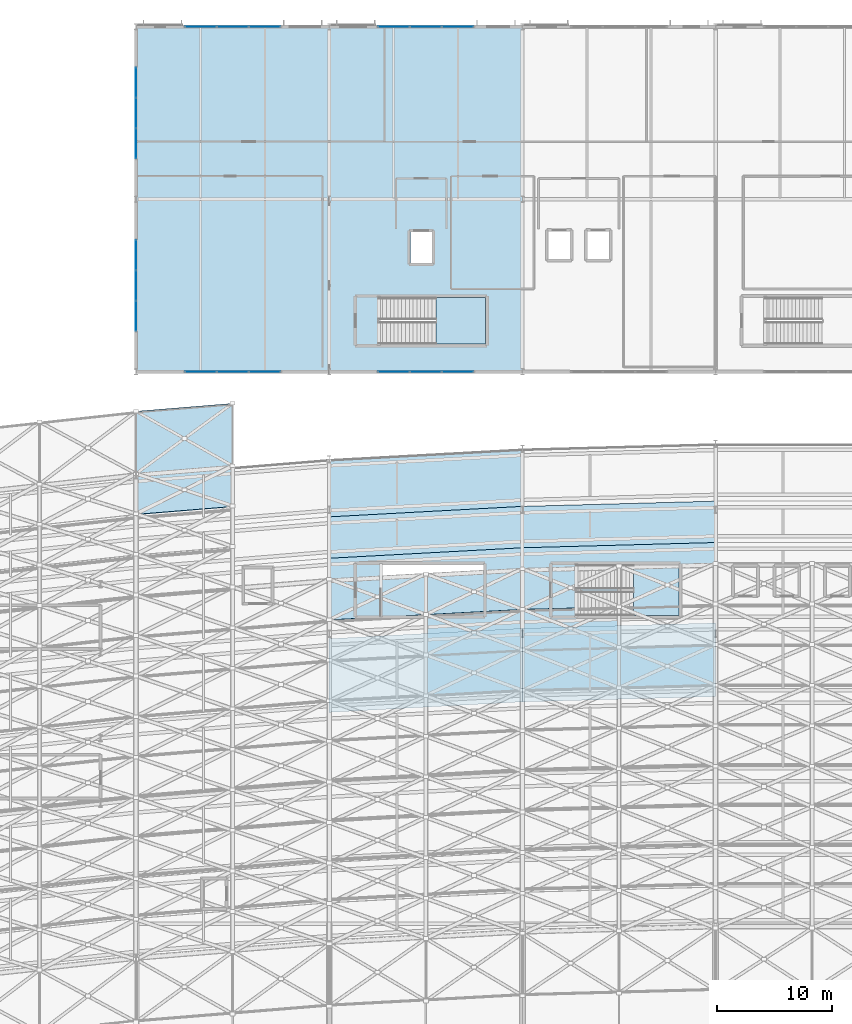
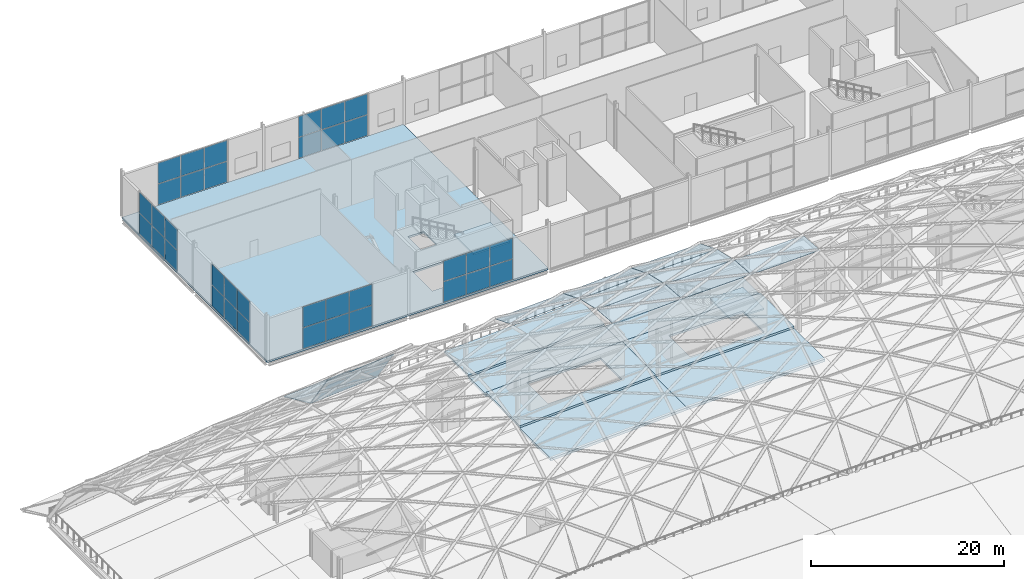
# One storey, part 67 of 100: 46 plates, 10 slabs, 8 elements without a shape of their own.
"""IFC4 building model written with IfcOpenShell, lengths in metres."""

from ifc_helpers import new_model, si_unit, direction, frame, origin, origin_2d, place, context, subcontext, project, spatial, polyline, rectangle, outline, extrude, material, layer, layer_set, type_object, element, aggregate, save


model = new_model("IFC4")

# Units and contexts
model_context = context("Model", 3, precision=1e-05, world=origin(), true_north=direction((0.0, 1.0)))
body_context = subcontext(model_context, "Body", "Model", "MODEL_VIEW")
ifc_project = project(units=[si_unit("LENGTHUNIT", "METRE"), si_unit("AREAUNIT", "SQUARE_METRE"), si_unit("VOLUMEUNIT", "CUBIC_METRE"), si_unit("PLANEANGLEUNIT", "RADIAN"), si_unit("MASSUNIT", "GRAM", prefix="KILO")], contexts=[model_context])

# Site, building, storey
site_placement = place(None, origin())
site = spatial("IfcSite", under=ifc_project, at=site_placement, CompositionType="ELEMENT")
building_placement = place(site_placement, origin())
building = spatial("IfcBuilding", under=site, at=building_placement, Name="Kimbaza Rail Terminus", CompositionType="ELEMENT")
storey_placement = place(building_placement, frame((0.0, 0.0, 10.800048828125)))
storey = spatial("IfcBuildingStorey", under=building, at=storey_placement, Name="L02", CompositionType="ELEMENT", Elevation=10.800048828125)

# Curtain wall, plates
ifc_material_1 = material(Name="Anodised aluminium framing and solar low-E glazing", Category="aluminium")
curtain_wall_type = type_object("IfcCurtainWallType", Name="ARC-CW-OP1", PredefinedType="USERDEFINED", material=ifc_material_1)
curtain_wall_1_placement = place(storey_placement, origin())
curtain_wall_1 = element("IfcCurtainWall", 1, at=curtain_wall_1_placement, inside=storey, type_object=curtain_wall_type, Name="Operations North Curtain Wall L02 Bay 1", ObjectType="UNITISED CURTAIN WALL", PredefinedType="USERDEFINED")
ifc_material_2 = material(Name="Solar-control double low-E glazing", Category="glass")
ifc_layer_1 = layer(ifc_material_2, 0.02490234375)
ifc_layer_set_1 = layer_set([ifc_layer_1], Name="Solar-control double low-E glazing")
plate_type_1 = type_object("IfcPlateType", Name="ARC-CWP-05", PredefinedType="CURTAIN_PANEL", material=ifc_layer_set_1)
plate_1_placement = place(storey_placement, frame((60.8154296875, 133.0, 0.06201171875), z_axis=(0.0, 0.0, 1.0), x_axis=(1.0, 0.0, 0.0)))
plate_1 = element("IfcPlate", 2, at=plate_1_placement, type_object=plate_type_1, Name="CW-05 panel 1.1", PredefinedType="CURTAIN_PANEL", context=body_context, shape_type="SweptSolid", body=[
    extrude(rectangle(XDim=2.70703125, YDim=0.02490234375, at=origin_2d()), origin(), (0.0, 0.0, 1.0), 2.609619140625),
])
plate_2_placement = place(storey_placement, frame((60.8154296875, 133.0, 2.7333984375), z_axis=(0.0, 0.0, 1.0), x_axis=(1.0, 0.0, 0.0)))
plate_2 = element("IfcPlate", 3, at=plate_2_placement, type_object=plate_type_1, Name="CW-05 panel 1.2", PredefinedType="CURTAIN_PANEL", context=body_context, shape_type="SweptSolid", body=[
    extrude(rectangle(XDim=2.70703125, YDim=0.02490234375, at=origin_2d()), origin(), (0.0, 0.0, 1.0), 2.609619140625),
])
plate_3_placement = place(storey_placement, frame((63.60009765625, 133.0, 0.06201171875), z_axis=(0.0, 0.0, 1.0), x_axis=(1.0, 0.0, 0.0)))
plate_3 = element("IfcPlate", 4, at=plate_3_placement, type_object=plate_type_1, Name="CW-05 panel 2.1", PredefinedType="CURTAIN_PANEL", context=body_context, shape_type="SweptSolid", body=[
    extrude(rectangle(XDim=2.738037109375, YDim=0.02490234375, at=origin_2d()), origin(), (0.0, 0.0, 1.0), 2.609619140625),
])
plate_4_placement = place(storey_placement, frame((63.60009765625, 133.0, 2.7333984375), z_axis=(0.0, 0.0, 1.0), x_axis=(1.0, 0.0, 0.0)))
plate_4 = element("IfcPlate", 5, at=plate_4_placement, type_object=plate_type_1, Name="CW-05 panel 2.2", PredefinedType="CURTAIN_PANEL", context=body_context, shape_type="SweptSolid", body=[
    extrude(rectangle(XDim=2.738037109375, YDim=0.02490234375, at=origin_2d()), origin(), (0.0, 0.0, 1.0), 2.609619140625),
])
plate_5_placement = place(storey_placement, frame((66.384521484375, 133.0, 0.06201171875), z_axis=(0.0, 0.0, 1.0), x_axis=(1.0, 0.0, 0.0)))
plate_5 = element("IfcPlate", 6, at=plate_5_placement, type_object=plate_type_1, Name="CW-05 panel 3.1", PredefinedType="CURTAIN_PANEL", context=body_context, shape_type="SweptSolid", body=[
    extrude(rectangle(XDim=2.70703125, YDim=0.02490234375, at=origin_2d()), origin(), (0.0, 0.0, 1.0), 2.609619140625),
])
plate_6_placement = place(storey_placement, frame((66.384521484375, 133.0, 2.7333984375), z_axis=(0.0, 0.0, 1.0), x_axis=(1.0, 0.0, 0.0)))
plate_6 = element("IfcPlate", 7, at=plate_6_placement, type_object=plate_type_1, Name="CW-05 panel 3.2", PredefinedType="CURTAIN_PANEL", context=body_context, shape_type="SweptSolid", body=[
    extrude(rectangle(XDim=2.70703125, YDim=0.02490234375, at=origin_2d()), origin(), (0.0, 0.0, 1.0), 2.609619140625),
])
aggregate(curtain_wall_1, [plate_1, plate_2, plate_3, plate_4, plate_5, plate_6])

curtain_wall_2_placement = place(storey_placement, origin())
curtain_wall_2 = element("IfcCurtainWall", 8, at=curtain_wall_2_placement, inside=storey, type_object=curtain_wall_type, Name="Operations North Curtain Wall L02 Bay 2", ObjectType="UNITISED CURTAIN WALL", PredefinedType="USERDEFINED")
plate_7_placement = place(storey_placement, frame((77.615478515625, 133.0, 0.06201171875), z_axis=(0.0, 0.0, 1.0), x_axis=(1.0, 0.0, 0.0)))
plate_7 = element("IfcPlate", 9, at=plate_7_placement, type_object=plate_type_1, Name="CW-05 panel 1.1", PredefinedType="CURTAIN_PANEL", context=body_context, shape_type="SweptSolid", body=[
    extrude(rectangle(XDim=2.70703125, YDim=0.02490234375, at=origin_2d()), origin(), (0.0, 0.0, 1.0), 2.609619140625),
])
plate_8_placement = place(storey_placement, frame((77.615478515625, 133.0, 2.7333984375), z_axis=(0.0, 0.0, 1.0), x_axis=(1.0, 0.0, 0.0)))
plate_8 = element("IfcPlate", 10, at=plate_8_placement, type_object=plate_type_1, Name="CW-05 panel 1.2", PredefinedType="CURTAIN_PANEL", context=body_context, shape_type="SweptSolid", body=[
    extrude(rectangle(XDim=2.70703125, YDim=0.02490234375, at=origin_2d()), origin(), (0.0, 0.0, 1.0), 2.609619140625),
])
plate_9_placement = place(storey_placement, frame((80.39990234375, 133.0, 0.06201171875), z_axis=(0.0, 0.0, 1.0), x_axis=(1.0, 0.0, 0.0)))
plate_9 = element("IfcPlate", 11, at=plate_9_placement, type_object=plate_type_1, Name="CW-05 panel 2.1", PredefinedType="CURTAIN_PANEL", context=body_context, shape_type="SweptSolid", body=[
    extrude(rectangle(XDim=2.738037109375, YDim=0.02490234375, at=origin_2d()), origin(), (0.0, 0.0, 1.0), 2.609619140625),
])
plate_10_placement = place(storey_placement, frame((80.39990234375, 133.0, 2.7333984375), z_axis=(0.0, 0.0, 1.0), x_axis=(1.0, 0.0, 0.0)))
plate_10 = element("IfcPlate", 12, at=plate_10_placement, type_object=plate_type_1, Name="CW-05 panel 2.2", PredefinedType="CURTAIN_PANEL", context=body_context, shape_type="SweptSolid", body=[
    extrude(rectangle(XDim=2.738037109375, YDim=0.02490234375, at=origin_2d()), origin(), (0.0, 0.0, 1.0), 2.609619140625),
])
plate_11_placement = place(storey_placement, frame((83.1845703125, 133.0, 0.06201171875), z_axis=(0.0, 0.0, 1.0), x_axis=(1.0, 0.0, 0.0)))
plate_11 = element("IfcPlate", 13, at=plate_11_placement, type_object=plate_type_1, Name="CW-05 panel 3.1", PredefinedType="CURTAIN_PANEL", context=body_context, shape_type="SweptSolid", body=[
    extrude(rectangle(XDim=2.70703125, YDim=0.02490234375, at=origin_2d()), origin(), (0.0, 0.0, 1.0), 2.609619140625),
])
plate_12_placement = place(storey_placement, frame((83.1845703125, 133.0, 2.7333984375), z_axis=(0.0, 0.0, 1.0), x_axis=(1.0, 0.0, 0.0)))
plate_12 = element("IfcPlate", 14, at=plate_12_placement, type_object=plate_type_1, Name="CW-05 panel 3.2", PredefinedType="CURTAIN_PANEL", context=body_context, shape_type="SweptSolid", body=[
    extrude(rectangle(XDim=2.70703125, YDim=0.02490234375, at=origin_2d()), origin(), (0.0, 0.0, 1.0), 2.609619140625),
])
aggregate(curtain_wall_2, [plate_7, plate_8, plate_9, plate_10, plate_11, plate_12])

curtain_wall_3_placement = place(storey_placement, origin())
curtain_wall_3 = element("IfcCurtainWall", 15, at=curtain_wall_3_placement, inside=storey, type_object=curtain_wall_type, Name="Operations South Curtain Wall L02 Bay 1", ObjectType="UNITISED CURTAIN WALL", PredefinedType="USERDEFINED")
plate_13_placement = place(storey_placement, frame((60.8154296875, 103.0, 0.06201171875), z_axis=(0.0, 0.0, 1.0), x_axis=(1.0, 0.0, 0.0)))
plate_13 = element("IfcPlate", 16, at=plate_13_placement, type_object=plate_type_1, Name="CW-05 panel 1.1", PredefinedType="CURTAIN_PANEL", context=body_context, shape_type="SweptSolid", body=[
    extrude(rectangle(XDim=2.70703125, YDim=0.02490234375, at=origin_2d()), origin(), (0.0, 0.0, 1.0), 2.609619140625),
])
plate_14_placement = place(storey_placement, frame((60.8154296875, 103.0, 2.7333984375), z_axis=(0.0, 0.0, 1.0), x_axis=(1.0, 0.0, 0.0)))
plate_14 = element("IfcPlate", 17, at=plate_14_placement, type_object=plate_type_1, Name="CW-05 panel 1.2", PredefinedType="CURTAIN_PANEL", context=body_context, shape_type="SweptSolid", body=[
    extrude(rectangle(XDim=2.70703125, YDim=0.02490234375, at=origin_2d()), origin(), (0.0, 0.0, 1.0), 2.609619140625),
])
plate_15_placement = place(storey_placement, frame((63.60009765625, 103.0, 0.06201171875), z_axis=(0.0, 0.0, 1.0), x_axis=(1.0, 0.0, 0.0)))
plate_15 = element("IfcPlate", 18, at=plate_15_placement, type_object=plate_type_1, Name="CW-05 panel 2.1", PredefinedType="CURTAIN_PANEL", context=body_context, shape_type="SweptSolid", body=[
    extrude(rectangle(XDim=2.738037109375, YDim=0.02490234375, at=origin_2d()), origin(), (0.0, 0.0, 1.0), 2.609619140625),
])
plate_16_placement = place(storey_placement, frame((63.60009765625, 103.0, 2.7333984375), z_axis=(0.0, 0.0, 1.0), x_axis=(1.0, 0.0, 0.0)))
plate_16 = element("IfcPlate", 19, at=plate_16_placement, type_object=plate_type_1, Name="CW-05 panel 2.2", PredefinedType="CURTAIN_PANEL", context=body_context, shape_type="SweptSolid", body=[
    extrude(rectangle(XDim=2.738037109375, YDim=0.02490234375, at=origin_2d()), origin(), (0.0, 0.0, 1.0), 2.609619140625),
])
plate_17_placement = place(storey_placement, frame((66.384521484375, 103.0, 0.06201171875), z_axis=(0.0, 0.0, 1.0), x_axis=(1.0, 0.0, 0.0)))
plate_17 = element("IfcPlate", 20, at=plate_17_placement, type_object=plate_type_1, Name="CW-05 panel 3.1", PredefinedType="CURTAIN_PANEL", context=body_context, shape_type="SweptSolid", body=[
    extrude(rectangle(XDim=2.70703125, YDim=0.02490234375, at=origin_2d()), origin(), (0.0, 0.0, 1.0), 2.609619140625),
])
plate_18_placement = place(storey_placement, frame((66.384521484375, 103.0, 2.7333984375), z_axis=(0.0, 0.0, 1.0), x_axis=(1.0, 0.0, 0.0)))
plate_18 = element("IfcPlate", 21, at=plate_18_placement, type_object=plate_type_1, Name="CW-05 panel 3.2", PredefinedType="CURTAIN_PANEL", context=body_context, shape_type="SweptSolid", body=[
    extrude(rectangle(XDim=2.70703125, YDim=0.02490234375, at=origin_2d()), origin(), (0.0, 0.0, 1.0), 2.609619140625),
])
aggregate(curtain_wall_3, [plate_13, plate_14, plate_15, plate_16, plate_17, plate_18])

curtain_wall_4_placement = place(storey_placement, origin())
curtain_wall_4 = element("IfcCurtainWall", 22, at=curtain_wall_4_placement, inside=storey, type_object=curtain_wall_type, Name="Operations South Curtain Wall L02 Bay 2", ObjectType="UNITISED CURTAIN WALL", PredefinedType="USERDEFINED")
plate_19_placement = place(storey_placement, frame((77.615478515625, 103.0, 0.06201171875), z_axis=(0.0, 0.0, 1.0), x_axis=(1.0, 0.0, 0.0)))
plate_19 = element("IfcPlate", 23, at=plate_19_placement, type_object=plate_type_1, Name="CW-05 panel 1.1", PredefinedType="CURTAIN_PANEL", context=body_context, shape_type="SweptSolid", body=[
    extrude(rectangle(XDim=2.70703125, YDim=0.02490234375, at=origin_2d()), origin(), (0.0, 0.0, 1.0), 2.569580078125),
])
plate_20_placement = place(storey_placement, frame((77.615478515625, 103.0, 2.693359375), z_axis=(0.0, 0.0, 1.0), x_axis=(1.0, 0.0, 0.0)))
plate_20 = element("IfcPlate", 24, at=plate_20_placement, type_object=plate_type_1, Name="CW-05 panel 1.2", PredefinedType="CURTAIN_PANEL", context=body_context, shape_type="SweptSolid", body=[
    extrude(rectangle(XDim=2.70703125, YDim=0.02490234375, at=origin_2d()), origin(), (0.0, 0.0, 1.0), 2.569580078125),
])
plate_21_placement = place(storey_placement, frame((80.39990234375, 103.0, 0.06201171875), z_axis=(0.0, 0.0, 1.0), x_axis=(1.0, 0.0, 0.0)))
plate_21 = element("IfcPlate", 25, at=plate_21_placement, type_object=plate_type_1, Name="CW-05 panel 2.1", PredefinedType="CURTAIN_PANEL", context=body_context, shape_type="SweptSolid", body=[
    extrude(rectangle(XDim=2.738037109375, YDim=0.02490234375, at=origin_2d()), origin(), (0.0, 0.0, 1.0), 2.569580078125),
])
plate_22_placement = place(storey_placement, frame((80.39990234375, 103.0, 2.693359375), z_axis=(0.0, 0.0, 1.0), x_axis=(1.0, 0.0, 0.0)))
plate_22 = element("IfcPlate", 26, at=plate_22_placement, type_object=plate_type_1, Name="CW-05 panel 2.2", PredefinedType="CURTAIN_PANEL", context=body_context, shape_type="SweptSolid", body=[
    extrude(rectangle(XDim=2.738037109375, YDim=0.02490234375, at=origin_2d()), origin(), (0.0, 0.0, 1.0), 2.569580078125),
])
plate_23_placement = place(storey_placement, frame((83.1845703125, 103.0, 0.06201171875), z_axis=(0.0, 0.0, 1.0), x_axis=(1.0, 0.0, 0.0)))
plate_23 = element("IfcPlate", 27, at=plate_23_placement, type_object=plate_type_1, Name="CW-05 panel 3.1", PredefinedType="CURTAIN_PANEL", context=body_context, shape_type="SweptSolid", body=[
    extrude(rectangle(XDim=2.70703125, YDim=0.02490234375, at=origin_2d()), origin(), (0.0, 0.0, 1.0), 2.569580078125),
])
plate_24_placement = place(storey_placement, frame((83.1845703125, 103.0, 2.693359375), z_axis=(0.0, 0.0, 1.0), x_axis=(1.0, 0.0, 0.0)))
plate_24 = element("IfcPlate", 28, at=plate_24_placement, type_object=plate_type_1, Name="CW-05 panel 3.2", PredefinedType="CURTAIN_PANEL", context=body_context, shape_type="SweptSolid", body=[
    extrude(rectangle(XDim=2.70703125, YDim=0.02490234375, at=origin_2d()), origin(), (0.0, 0.0, 1.0), 2.569580078125),
])
aggregate(curtain_wall_4, [plate_19, plate_20, plate_21, plate_22, plate_23, plate_24])

curtain_wall_5_placement = place(storey_placement, origin())
curtain_wall_5 = element("IfcCurtainWall", 29, at=curtain_wall_5_placement, inside=storey, type_object=curtain_wall_type, Name="Operations W Curtain Wall L02.1", ObjectType="UNITISED CURTAIN WALL", PredefinedType="USERDEFINED")
plate_25_placement = place(storey_placement, frame((55.199951171875, 107.848876953125, 0.06201171875), z_axis=(0.0, 0.0, 1.0), x_axis=(0.0, 1.0, 0.0)))
plate_25 = element("IfcPlate", 30, at=plate_25_placement, type_object=plate_type_1, Name="CW-05 panel 1.1", PredefinedType="CURTAIN_PANEL", context=body_context, shape_type="SweptSolid", body=[
    extrude(rectangle(XDim=2.57373046875, YDim=0.02490234375, at=origin_2d()), origin(), (0.0, 0.0, 1.0), 2.609619140625),
])
plate_26_placement = place(storey_placement, frame((55.199951171875, 107.848876953125, 2.7333984375), z_axis=(0.0, 0.0, 1.0), x_axis=(0.0, 1.0, 0.0)))
plate_26 = element("IfcPlate", 31, at=plate_26_placement, type_object=plate_type_1, Name="CW-05 panel 1.2", PredefinedType="CURTAIN_PANEL", context=body_context, shape_type="SweptSolid", body=[
    extrude(rectangle(XDim=2.57373046875, YDim=0.02490234375, at=origin_2d()), origin(), (0.0, 0.0, 1.0), 2.609619140625),
])
plate_27_placement = place(storey_placement, frame((55.199951171875, 110.5, 0.06201171875), z_axis=(0.0, 0.0, 1.0), x_axis=(0.0, 1.0, 0.0)))
plate_27 = element("IfcPlate", 32, at=plate_27_placement, type_object=plate_type_1, Name="CW-05 panel 2.1", PredefinedType="CURTAIN_PANEL", context=body_context, shape_type="SweptSolid", body=[
    extrude(rectangle(XDim=2.604736328125, YDim=0.02490234375, at=origin_2d()), origin(), (0.0, 0.0, 1.0), 2.609619140625),
])
plate_28_placement = place(storey_placement, frame((55.199951171875, 110.5, 2.7333984375), z_axis=(0.0, 0.0, 1.0), x_axis=(0.0, 1.0, 0.0)))
plate_28 = element("IfcPlate", 33, at=plate_28_placement, type_object=plate_type_1, Name="CW-05 panel 2.2", PredefinedType="CURTAIN_PANEL", context=body_context, shape_type="SweptSolid", body=[
    extrude(rectangle(XDim=2.604736328125, YDim=0.02490234375, at=origin_2d()), origin(), (0.0, 0.0, 1.0), 2.609619140625),
])
plate_29_placement = place(storey_placement, frame((55.199951171875, 113.151123046875, 0.06201171875), z_axis=(0.0, 0.0, 1.0), x_axis=(0.0, 1.0, 0.0)))
plate_29 = element("IfcPlate", 34, at=plate_29_placement, type_object=plate_type_1, Name="CW-05 panel 3.1", PredefinedType="CURTAIN_PANEL", context=body_context, shape_type="SweptSolid", body=[
    extrude(rectangle(XDim=2.57373046875, YDim=0.02490234375, at=origin_2d()), origin(), (0.0, 0.0, 1.0), 2.609619140625),
])
plate_30_placement = place(storey_placement, frame((55.199951171875, 113.151123046875, 2.7333984375), z_axis=(0.0, 0.0, 1.0), x_axis=(0.0, 1.0, 0.0)))
plate_30 = element("IfcPlate", 35, at=plate_30_placement, type_object=plate_type_1, Name="CW-05 panel 3.2", PredefinedType="CURTAIN_PANEL", context=body_context, shape_type="SweptSolid", body=[
    extrude(rectangle(XDim=2.57373046875, YDim=0.02490234375, at=origin_2d()), origin(), (0.0, 0.0, 1.0), 2.609619140625),
])
aggregate(curtain_wall_5, [plate_25, plate_26, plate_27, plate_28, plate_29, plate_30])

curtain_wall_6_placement = place(storey_placement, origin())
curtain_wall_6 = element("IfcCurtainWall", 36, at=curtain_wall_6_placement, inside=storey, type_object=curtain_wall_type, Name="Operations W Curtain Wall L02.2", ObjectType="UNITISED CURTAIN WALL", PredefinedType="USERDEFINED")
plate_31_placement = place(storey_placement, frame((55.199951171875, 122.848876953125, 0.06201171875), z_axis=(0.0, 0.0, 1.0), x_axis=(0.0, 1.0, 0.0)))
plate_31 = element("IfcPlate", 37, at=plate_31_placement, type_object=plate_type_1, Name="CW-05 panel 1.1", PredefinedType="CURTAIN_PANEL", context=body_context, shape_type="SweptSolid", body=[
    extrude(rectangle(XDim=2.57373046875, YDim=0.02490234375, at=origin_2d()), origin(), (0.0, 0.0, 1.0), 2.609619140625),
])
plate_32_placement = place(storey_placement, frame((55.199951171875, 122.848876953125, 2.7333984375), z_axis=(0.0, 0.0, 1.0), x_axis=(0.0, 1.0, 0.0)))
plate_32 = element("IfcPlate", 38, at=plate_32_placement, type_object=plate_type_1, Name="CW-05 panel 1.2", PredefinedType="CURTAIN_PANEL", context=body_context, shape_type="SweptSolid", body=[
    extrude(rectangle(XDim=2.57373046875, YDim=0.02490234375, at=origin_2d()), origin(), (0.0, 0.0, 1.0), 2.609619140625),
])
plate_33_placement = place(storey_placement, frame((55.199951171875, 125.5, 0.06201171875), z_axis=(0.0, 0.0, 1.0), x_axis=(0.0, 1.0, 0.0)))
plate_33 = element("IfcPlate", 39, at=plate_33_placement, type_object=plate_type_1, Name="CW-05 panel 2.1", PredefinedType="CURTAIN_PANEL", context=body_context, shape_type="SweptSolid", body=[
    extrude(rectangle(XDim=2.604736328125, YDim=0.02490234375, at=origin_2d()), origin(), (0.0, 0.0, 1.0), 2.609619140625),
])
plate_34_placement = place(storey_placement, frame((55.199951171875, 125.5, 2.7333984375), z_axis=(0.0, 0.0, 1.0), x_axis=(0.0, 1.0, 0.0)))
plate_34 = element("IfcPlate", 40, at=plate_34_placement, type_object=plate_type_1, Name="CW-05 panel 2.2", PredefinedType="CURTAIN_PANEL", context=body_context, shape_type="SweptSolid", body=[
    extrude(rectangle(XDim=2.604736328125, YDim=0.02490234375, at=origin_2d()), origin(), (0.0, 0.0, 1.0), 2.609619140625),
])
plate_35_placement = place(storey_placement, frame((55.199951171875, 128.151123046875, 0.06201171875), z_axis=(0.0, 0.0, 1.0), x_axis=(0.0, 1.0, 0.0)))
plate_35 = element("IfcPlate", 41, at=plate_35_placement, type_object=plate_type_1, Name="CW-05 panel 3.1", PredefinedType="CURTAIN_PANEL", context=body_context, shape_type="SweptSolid", body=[
    extrude(rectangle(XDim=2.57373046875, YDim=0.02490234375, at=origin_2d()), origin(), (0.0, 0.0, 1.0), 2.609619140625),
])
plate_36_placement = place(storey_placement, frame((55.199951171875, 128.151123046875, 2.7333984375), z_axis=(0.0, 0.0, 1.0), x_axis=(0.0, 1.0, 0.0)))
plate_36 = element("IfcPlate", 42, at=plate_36_placement, type_object=plate_type_1, Name="CW-05 panel 3.2", PredefinedType="CURTAIN_PANEL", context=body_context, shape_type="SweptSolid", body=[
    extrude(rectangle(XDim=2.57373046875, YDim=0.02490234375, at=origin_2d()), origin(), (0.0, 0.0, 1.0), 2.609619140625),
])
aggregate(curtain_wall_6, [plate_31, plate_32, plate_33, plate_34, plate_35, plate_36])

# Plates
ifc_material_3 = material(Name="Insulated pearl-white aluminium cassette", Category="aluminium")
ifc_layer_2 = layer(ifc_material_3, 0.0810546875)
ifc_layer_set_2 = layer_set([ifc_layer_2], Name="Insulated pearl-white aluminium cassette")
plate_type_2 = type_object("IfcPlateType", Name="ARC-PL-VAL-14", PredefinedType="SHEET", material=ifc_layer_set_2)
plate_37_placement = place(storey_placement, frame((55.205078125, 94.0615234375, 0.123779296875), z_axis=(-0.033780937756, 0.413566770926, 0.909846896038), x_axis=(0.996680630795, 0.081410811309, 0.0)))
element("IfcPlate", 43, at=plate_37_placement, inside=storey, type_object=plate_type_2, Name="Vault Insulated Aluminium Cassette VR-04-VA13", PredefinedType="SHEET", context=body_context, shape_type="SweptSolid", body=[
    extrude(outline(polyline([(0.0, 0.0), (8.417834478666043, 0.0), (8.8655939408668, 6.0249075896655615), (0.44775946220075735, 6.0249075896655615), (0.0, 0.0)])), origin(), (0.0, 0.0, -1.0), 0.0810546875),
])
ifc_material_4 = material(Name="Laminated solar-control low-E glass", Category="glass")
ifc_layer_3 = layer(ifc_material_4, 0.0400390625)
ifc_layer_set_3 = layer_set([ifc_layer_3], Name="Laminated solar-control low-E glass")
plate_type_3 = type_object("IfcPlateType", Name="ARC-PL-VGL-08", PredefinedType="SHEET", material=ifc_layer_set_3)
plate_38_placement = place(storey_placement, frame((80.405029296875, 74.8388671875, 12.894775390625), z_axis=(-0.004036136778, 0.074291291036, 0.997228415999), x_axis=(0.998527464249, 0.054248531231, 0.0)))
element("IfcPlate", 44, at=plate_38_placement, inside=storey, type_object=plate_type_3, Name="Vault Solar Glass Cassette VR-07-VA07", PredefinedType="SHEET", context=body_context, shape_type="SweptSolid", body=[
    extrude(outline(polyline([(0.0, 0.0), (8.402265214043142, 0.0), (8.592135073351573, 3.5045593053718584), (0.18986985930843156, 3.5045593053718584), (0.0, 0.0)])), origin(), (0.0, 0.0, -1.0), 0.0400390625),
])
plate_39_placement = place(storey_placement, frame((88.804931640625, 75.294677734375, 12.894775390625), z_axis=(-0.002016941108, 0.074291745049, 0.997234510316), x_axis=(0.9996316715, 0.027138926541, 0.0)))
element("IfcPlate", 45, at=plate_39_placement, inside=storey, type_object=plate_type_3, Name="Vault Solar Glass Cassette VR-08-VA07", PredefinedType="SHEET", context=body_context, shape_type="SweptSolid", body=[
    extrude(outline(polyline([(0.0, 0.0), (8.393228183895808, 0.0), (8.488214426789474, 3.5084133311232346), (0.09498624289366717, 3.5084133311232346), (0.0, 0.0)])), origin(), (0.0, 0.0, -1.0), 0.0400390625),
])
plate_40_placement = place(storey_placement, frame((97.205078125, 75.5224609375, 12.894775390625), z_axis=(-0.0020169998, 0.07429174504, 0.997234510198), x_axis=(0.999631650075, 0.027139715685, 0.0)))
element("IfcPlate", 46, at=plate_40_placement, inside=storey, type_object=plate_type_3, Name="Vault Solar Glass Cassette VR-09-VA07", PredefinedType="SHEET", context=body_context, shape_type="SweptSolid", body=[
    extrude(outline(polyline([(0.0, 0.0), (8.392984133197373, 0.0), (8.487973138095418, 3.508413256344065), (0.09498900489804511, 3.508413256344065), (0.0, 0.0)])), origin(), (0.0, 0.0, -1.0), 0.0400390625),
])
ifc_material_5 = material(Name="Laminated solar-control low-E glass", Category="glass")
ifc_layer_4 = layer(ifc_material_5, 0.0419921875)
ifc_layer_set_4 = layer_set([ifc_layer_4], Name="Laminated solar-control low-E glass")
plate_type_4 = type_object("IfcPlateType", Name="ARC-PL-VGL-09", PredefinedType="SHEET", material=ifc_layer_set_4)
plate_41_placement = place(storey_placement, frame((80.405029296875, 78.353271484375, 12.6337890625), z_axis=(-0.012112042444, 0.222821380409, 0.974784043191), x_axis=(0.998525889878, 0.054277502176, 0.0)))
element("IfcPlate", 47, at=plate_41_placement, inside=storey, type_object=plate_type_4, Name="Vault Solar Glass Cassette VR-07-VA08", PredefinedType="SHEET", context=body_context, shape_type="SweptSolid", body=[
    extrude(outline(polyline([(0.0, 0.0), (8.402278461849958, 0.0), (8.59224971946745, 3.5852460234499133), (0.1899712576174917, 3.5852460234499133), (0.0, 0.0)])), origin(), (0.0, 0.0, -1.0), 0.0419921875),
])
plate_42_placement = place(storey_placement, frame((88.804931640625, 78.809326171875, 12.6337890625), z_axis=(-0.006043210398, 0.222833657233, 0.974837751019), x_axis=(0.999632460199, 0.027109860121, 0.0)))
element("IfcPlate", 48, at=plate_42_placement, inside=storey, type_object=plate_type_4, Name="Vault Solar Glass Cassette VR-08-VA08", PredefinedType="SHEET", context=body_context, shape_type="SweptSolid", body=[
    extrude(outline(polyline([(0.0, 0.0), (8.393221561729463, 0.0), (8.488106072151695, 3.5890214623301038), (0.09488451042222941, 3.5890214623301038), (0.0, 0.0)])), origin(), (0.0, 0.0, -1.0), 0.0419921875),
])
ifc_material_6 = material(Name="Laminated solar-control low-E glass", Category="glass")
ifc_layer_5 = layer(ifc_material_6, 0.0439453125)
ifc_layer_set_5 = layer_set([ifc_layer_5], Name="Laminated solar-control low-E glass")
plate_type_5 = type_object("IfcPlateType", Name="ARC-PL-VGL-10", PredefinedType="SHEET", material=ifc_layer_set_5)
plate_43_placement = place(storey_placement, frame((72.0048828125, 81.412353515625, 11.8310546875), z_axis=(-0.020191102791, 0.37146008485, 0.928229349208), x_axis=(0.998525975476, 0.054275927434, 0.0)))
element("IfcPlate", 49, at=plate_43_placement, inside=storey, type_object=plate_type_5, Name="Vault Solar Glass Cassette VR-06-VA09", PredefinedType="SHEET", context=body_context, shape_type="SweptSolid", body=[
    extrude(outline(polyline([(0.0, 0.0), (8.40252224259524, -5.551115123125783e-17), (8.592487988613543, 3.7650618536774543), (0.18996574601830432, 3.7650618536774543), (0.0, 0.0)])), origin(), (0.0, 0.0, -1.0), 0.0439453125),
])
plate_44_placement = place(storey_placement, frame((80.405029296875, 81.868408203125, 11.8310546875), z_axis=(-0.020180885247, 0.371460161495, 0.928229540735), x_axis=(0.998527464249, 0.054248531231, 0.0)))
element("IfcPlate", 50, at=plate_44_placement, inside=storey, type_object=plate_type_5, Name="Vault Solar Glass Cassette VR-07-VA09", PredefinedType="SHEET", context=body_context, shape_type="SweptSolid", body=[
    extrude(outline(polyline([(0.0, 0.0), (8.402265214043142, 5.551115123125783e-17), (8.592135073351573, 3.7650666904058414), (0.18986985930843156, 3.7650666904058414), (0.0, 0.0)])), origin(), (0.0, 0.0, -1.0), 0.0439453125),
])
plate_45_placement = place(storey_placement, frame((88.804931640625, 82.32421875, 11.8310546875), z_axis=(-0.010086285666, 0.371516927313, 0.928371390964), x_axis=(0.9996316715, 0.027138926541, 0.0)))
element("IfcPlate", 51, at=plate_45_placement, inside=storey, type_object=plate_type_5, Name="Vault Solar Glass Cassette VR-08-VA09", PredefinedType="SHEET", context=body_context, shape_type="SweptSolid", body=[
    extrude(outline(polyline([(0.0, 0.0), (8.393228183895808, -2.7755575615628914e-17), (8.488214426789474, 3.7686543169065465), (0.09498624289366717, 3.7686543169065465), (0.0, 0.0)])), origin(), (0.0, 0.0, -1.0), 0.0439453125),
])
ifc_material_7 = material(Name="Laminated solar-control low-E glass", Category="glass")
ifc_layer_6 = layer(ifc_material_7, 0.050048828125)
ifc_layer_set_6 = layer_set([ifc_layer_6], Name="Laminated solar-control low-E glass")
plate_type_6 = type_object("IfcPlateType", Name="ARC-PL-VGL-13", PredefinedType="SHEET", material=ifc_layer_set_6)
plate_46_placement = place(storey_placement, frame((55.205078125, 90.591064453125, 5.107666015625), z_axis=(-0.066946390969, 0.819890493816, 0.568592788281), x_axis=(0.996682983687, 0.081382000647, 0.0)))
element("IfcPlate", 52, at=plate_46_placement, inside=storey, type_object=plate_type_6, Name="Vault Solar Glass Cassette VR-04-VA12", PredefinedType="SHEET", context=body_context, shape_type="SweptSolid", body=[
    extrude(outline(polyline([(0.0, 0.0), (8.417814606496611, -5.551115123125783e-17), (8.702651608760181, 6.135129595026212), (0.2848370022635715, 6.135129595026212), (0.0, 0.0)])), origin(), (0.0, 0.0, -1.0), 0.050048828125),
])

# Stair, slab
ifc_material_8 = material(Name="Concrete C40/50", Category="concrete")
stair_type_1 = type_object("IfcStairType", Name="ARC-STR-01", PredefinedType="HALF_TURN_STAIR", material=ifc_material_8)
stair_1_placement = place(storey_placement, origin())
stair_1 = element("IfcStair", 53, at=stair_1_placement, inside=storey, type_object=stair_type_1, Name="L02 Operations West Exit Stair", PredefinedType="HALF_TURN_STAIR")
ifc_material_9 = material(Name="Concrete C40/50", Category="concrete")
ifc_layer_7 = layer(ifc_material_9, 0.199951171875)
ifc_layer_set_7 = layer_set([ifc_layer_7], Name="Concrete C40/50")
slab_type_1 = type_object("IfcSlabType", Name="STR-SL-LND200", PredefinedType="LANDING", material=ifc_layer_set_7)
slab_1_placement = place(storey_placement, frame((0.0, 0.0, 2.800048828125)))
slab_1 = element("IfcSlab", 54, at=slab_1_placement, type_object=slab_type_1, Name="ST-W1 landing 1", PredefinedType="LANDING", context=body_context, shape_type="SweptSolid", body=[
    extrude(outline(polyline([(81.27001953125, 105.39990234375), (85.60009765625, 105.39990234375), (85.60009765625, 109.43994140625), (81.27001953125, 109.43994140625), (81.27001953125, 105.39990234375)])), origin(), (0.0, 0.0, 1.0), 0.199951171875),
])
aggregate(stair_1, [slab_1])

ifc_material_10 = material(Name="Concrete C40/50", Category="concrete")
stair_type_2 = type_object("IfcStairType", Name="ARC-STR-05", PredefinedType="HALF_TURN_STAIR", material=ifc_material_10)
stair_2_placement = place(storey_placement, origin())
stair_2 = element("IfcStair", 55, at=stair_2_placement, inside=storey, type_object=stair_type_2, Name="L02 Footbridge West Platform Stair", PredefinedType="HALF_TURN_STAIR")
slab_2_placement = place(storey_placement, frame((0.0, 0.0, 2.800048828125)))
slab_2 = element("IfcSlab", 56, at=slab_2_placement, type_object=slab_type_1, Name="ST-C3 landing 1", PredefinedType="LANDING", context=body_context, shape_type="SweptSolid", body=[
    extrude(outline(polyline([(98.449951171875, 81.800048828125), (102.39990234375, 81.800048828125), (102.39990234375, 86.199951171875), (98.449951171875, 86.199951171875), (98.449951171875, 81.800048828125)])), origin(), (0.0, 0.0, 1.0), 0.199951171875),
])
aggregate(stair_2, [slab_2])

# Slabs
ifc_material_11 = material(Name="Concrete C40/50", Category="concrete")
ifc_layer_8 = layer(ifc_material_11, 0.239990234375)
ifc_layer_set_8 = layer_set([ifc_layer_8], Name="Concrete C40/50")
slab_type_2 = type_object("IfcSlabType", Name="STR-SL-OPS240", PredefinedType="FLOOR", material=ifc_layer_set_8)
slab_3_placement = place(storey_placement, frame((0.0, 0.0, -0.239990234375)))
element("IfcSlab", 57, at=slab_3_placement, inside=storey, type_object=slab_type_2, Name="Operations Wing L02 Slab Zone 1", PredefinedType="FLOOR", context=body_context, shape_type="SweptSolid", body=[
    extrude(outline(polyline([(55.199951171875, 103.0), (88.800048828125, 103.0), (88.800048828125, 133.0), (55.199951171875, 133.0), (55.199951171875, 103.0)]), holes=[polyline([(76.344970703125, 105.39990234375), (85.60009765625, 105.39990234375), (85.60009765625, 109.43994140625), (76.344970703125, 109.43994140625), (76.344970703125, 105.39990234375)]), polyline([(79.050048828125, 112.449951171875), (80.949951171875, 112.449951171875), (80.949951171875, 115.14990234375), (79.050048828125, 115.14990234375), (79.050048828125, 112.449951171875)])]), origin(), (0.0, 0.0, 1.0), 0.239990234375),
])
ifc_material_12 = material(Name="Precast concrete C40/50", Category="concrete")
ifc_layer_9 = layer(ifc_material_12, 0.260009765625)
ifc_layer_set_9 = layer_set([ifc_layer_9], Name="Precast concrete C40/50")
slab_type_3 = type_object("IfcSlabType", Name="STR-SL-PLT260", PredefinedType="FLOOR", material=ifc_layer_set_9)
slab_4_placement = place(storey_placement, frame((0.0, 0.0, -0.260009765625)))
element("IfcSlab", 58, at=slab_4_placement, inside=storey, type_object=slab_type_3, Name="Viaduct Platform 4-5 North Island Bay 04", PredefinedType="FLOOR", context=body_context, shape_type="SweptSolid", body=[
    extrude(outline(polyline([(72.0, 79.77587890625), (88.800048828125, 80.687744140625), (88.800048828125, 87.687744140625), (72.0, 86.77587890625), (72.0, 79.77587890625)]), holes=[polyline([(76.52490234375, 81.800048828125), (85.39990234375, 81.800048828125), (85.39990234375, 86.199951171875), (76.52490234375, 86.199951171875), (76.52490234375, 81.800048828125)])]), origin(), (0.0, 0.0, 1.0), 0.260009765625),
])
slab_5_placement = place(storey_placement, frame((0.0, 0.0, -0.260009765625)))
element("IfcSlab", 59, at=slab_5_placement, inside=storey, type_object=slab_type_3, Name="Viaduct Platform 6 North Intercity Bay 04", PredefinedType="FLOOR", context=body_context, shape_type="SweptSolid", body=[
    extrude(outline(polyline([(72.0, 90.375732421875), (88.800048828125, 91.28759765625), (88.800048828125, 96.28759765625), (72.0, 95.375732421875), (72.0, 90.375732421875)])), origin(), (0.0, 0.0, 1.0), 0.260009765625),
])
slab_6_placement = place(storey_placement, frame((0.0, 0.0, -0.260009765625)))
element("IfcSlab", 60, at=slab_6_placement, inside=storey, type_object=slab_type_3, Name="Viaduct Platform 4-5 North Island Bay 05", PredefinedType="FLOOR", context=body_context, shape_type="SweptSolid", body=[
    extrude(outline(polyline([(88.800048828125, 80.687744140625), (105.60009765625, 81.14306640625), (105.60009765625, 88.14306640625), (88.800048828125, 87.687744140625), (88.800048828125, 80.687744140625)]), holes=[polyline([(93.52490234375, 81.800048828125), (102.39990234375, 81.800048828125), (102.39990234375, 86.199951171875), (93.52490234375, 86.199951171875), (93.52490234375, 81.800048828125)])]), origin(), (0.0, 0.0, 1.0), 0.260009765625),
])
ifc_material_13 = material(Name="Concrete C40/50", Category="concrete")
ifc_layer_10 = layer(ifc_material_13, 0.320068359375)
ifc_layer_set_10 = layer_set([ifc_layer_10], Name="Concrete C40/50")
slab_type_4 = type_object("IfcSlabType", Name="STR-SL-TRK320", PredefinedType="FLOOR", material=ifc_layer_set_10)
slab_7_placement = place(storey_placement, frame((0.0, 0.0, -0.570068359375)))
element("IfcSlab", 61, at=slab_7_placement, inside=storey, type_object=slab_type_4, Name="Viaduct Track Bed 3-4 Bay 04", PredefinedType="FLOOR", context=body_context, shape_type="SweptSolid", body=[
    extrude(outline(polyline([(72.0, 73.375732421875), (88.800048828125, 74.28759765625), (88.800048828125, 80.687744140625), (72.0, 79.77587890625), (72.0, 73.375732421875)])), origin(), (0.0, 0.0, 1.0), 0.320068359375),
])
slab_8_placement = place(storey_placement, frame((0.0, 0.0, -0.570068359375)))
element("IfcSlab", 62, at=slab_8_placement, inside=storey, type_object=slab_type_4, Name="Viaduct Track Bed 5-6 Bay 04", PredefinedType="FLOOR", context=body_context, shape_type="SweptSolid", body=[
    extrude(outline(polyline([(72.0, 86.77587890625), (88.800048828125, 87.687744140625), (88.800048828125, 91.28759765625), (72.0, 90.375732421875), (72.0, 86.77587890625)])), origin(), (0.0, 0.0, 1.0), 0.320068359375),
])
slab_9_placement = place(storey_placement, frame((0.0, 0.0, -0.570068359375)))
element("IfcSlab", 63, at=slab_9_placement, inside=storey, type_object=slab_type_4, Name="Viaduct Track Bed 3-4 Bay 05", PredefinedType="FLOOR", context=body_context, shape_type="SweptSolid", body=[
    extrude(outline(polyline([(88.800048828125, 74.28759765625), (105.60009765625, 74.7431640625), (105.60009765625, 81.14306640625), (88.800048828125, 80.687744140625), (88.800048828125, 74.28759765625)])), origin(), (0.0, 0.0, 1.0), 0.320068359375),
])
slab_10_placement = place(storey_placement, frame((0.0, 0.0, -0.570068359375)))
element("IfcSlab", 64, at=slab_10_placement, inside=storey, type_object=slab_type_4, Name="Viaduct Track Bed 5-6 Bay 05", PredefinedType="FLOOR", context=body_context, shape_type="SweptSolid", body=[
    extrude(outline(polyline([(88.800048828125, 87.687744140625), (105.60009765625, 88.14306640625), (105.60009765625, 91.7431640625), (88.800048828125, 91.28759765625), (88.800048828125, 87.687744140625)])), origin(), (0.0, 0.0, 1.0), 0.320068359375),
])

save(model, "model.ifc")
